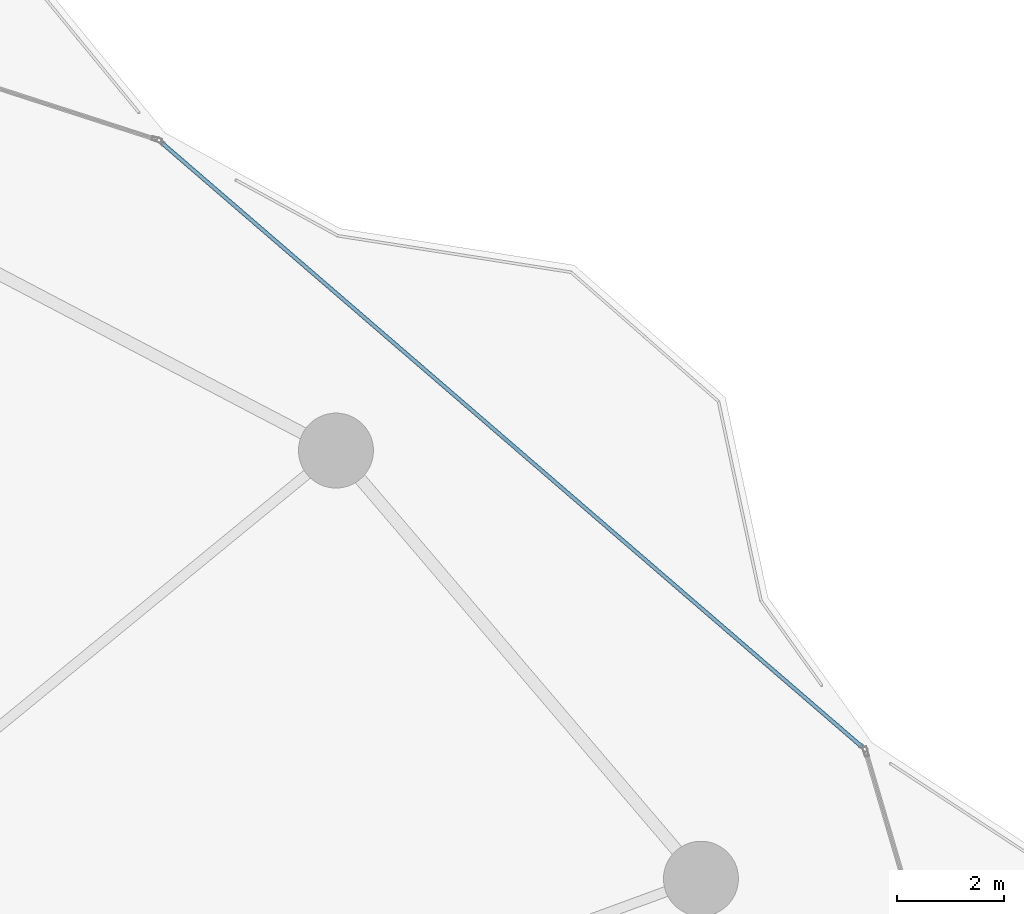
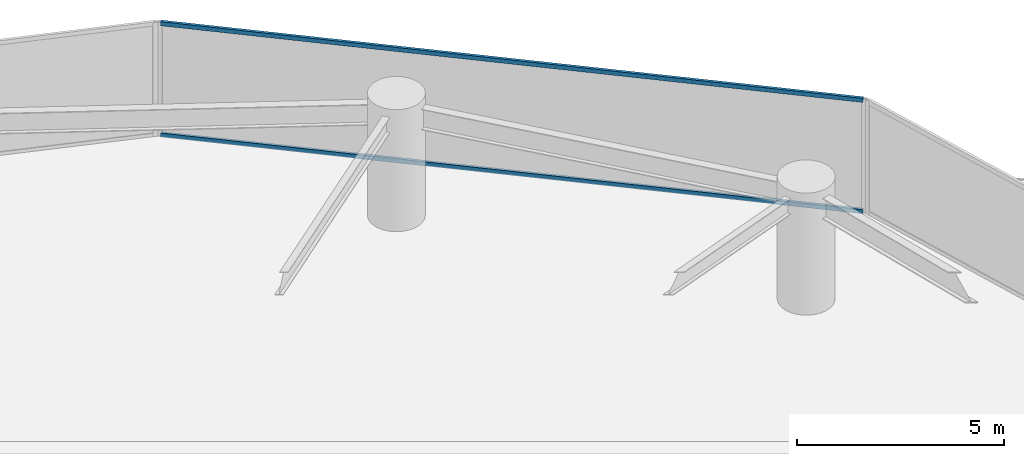
# One storey, part 20 of 33: 2 members, 1 element without a shape of its own.
"""IFC4 building model written with IfcOpenShell, lengths in metres."""

from ifc_helpers import new_model, si_unit, direction, frame, origin, origin_2d, place, context, subcontext, project, spatial, hollow_rectangle, extrude, material, layer, layer_set, material_profile, profile_set, type_object, element, aggregate, save


model = new_model("IFC4")

# Units and contexts
model_context = context("Model", 3, precision=1e-05, world=origin(), true_north=direction((0.0, 1.0)))
body_context = subcontext(model_context, "Body", "Model", "MODEL_VIEW")
ifc_project = project(units=[si_unit("LENGTHUNIT", "METRE"), si_unit("AREAUNIT", "SQUARE_METRE"), si_unit("VOLUMEUNIT", "CUBIC_METRE"), si_unit("PLANEANGLEUNIT", "RADIAN"), si_unit("MASSUNIT", "GRAM", prefix="KILO")], contexts=[model_context])

# Site, building, storey
site_placement = place(None, origin())
site = spatial("IfcSite", under=ifc_project, at=site_placement, CompositionType="ELEMENT")
building_placement = place(site_placement, origin())
building = spatial("IfcBuilding", under=site, at=building_placement, Name="Kazevale Care Tower and Concert Hall", CompositionType="ELEMENT")
storey_placement = place(building_placement, frame((0.0, 0.0, 31.199951171875)))
storey = spatial("IfcBuildingStorey", under=building, at=storey_placement, Name="L07", CompositionType="ELEMENT", Elevation=31.199951171875)

# Curtain wall, members
ifc_material_1 = material(Name="Aluminium 6063-T6 and Low-E Glass", Category="aluminium")
ifc_layer = layer(ifc_material_1, 0.179931640625)
ifc_layer_set = layer_set([ifc_layer], Name="Aluminium 6063-T6 and Low-E Glass")
curtain_wall_type = type_object("IfcCurtainWallType", Name="Convex Recessed Sunroom Curtain Wall CW-3", PredefinedType="NOTDEFINED", material=ifc_layer_set)
curtain_wall_placement = place(storey_placement, origin())
curtain_wall = element("IfcCurtainWall", 1, at=curtain_wall_placement, inside=storey, type_object=curtain_wall_type, Name="cw:L07:f17", PredefinedType="NOTDEFINED")
ifc_material_2 = material(Name="Aluminium 6063-T6", Category="aluminium")
ifc_material_profile = material_profile(ifc_material_2, hollow_rectangle(XDim=0.074951171875, YDim=0.1201171875, WallThickness=0.00390625, at=origin_2d()), Name="ALU75x120x4")
ifc_profile_set = profile_set([ifc_material_profile], Name="Aluminium 6063-T6")
member_type = type_object("IfcMemberType", Name="CW-3 Transom ALU75x120x4", PredefinedType="USERDEFINED", material=ifc_profile_set)
member_1_placement = place(storey_placement, frame((63.98681640625, 61.178955078125, 0.03759765625), z_axis=(0.757205368894, -0.653176874451, 0.0), x_axis=(0.653176874451, 0.757205368894, 0.0)))
member_1 = element("IfcMember", 2, at=member_1_placement, type_object=member_type, Name="CW-3 transom 1.1", ObjectType="TRANSOM", PredefinedType="USERDEFINED", context=body_context, shape_type="SweptSolid", body=[
    extrude(hollow_rectangle(XDim=0.074951171875, YDim=0.1201171875, WallThickness=0.00390625, at=origin_2d()), origin(), (0.0, 0.0, 1.0), 17.280029296875),
])
member_2_placement = place(storey_placement, frame((63.98681640625, 61.178955078125, 3.322509765625), z_axis=(0.757205368894, -0.653176874451, 0.0), x_axis=(0.653176874451, 0.757205368894, 0.0)))
member_2 = element("IfcMember", 3, at=member_2_placement, type_object=member_type, Name="CW-3 transom 1.2", ObjectType="TRANSOM", PredefinedType="USERDEFINED", context=body_context, shape_type="SweptSolid", body=[
    extrude(hollow_rectangle(XDim=0.074951171875, YDim=0.1201171875, WallThickness=0.00390625, at=origin_2d()), origin(), (0.0, 0.0, 1.0), 17.280029296875),
])
aggregate(curtain_wall, [member_1, member_2])

save(model, "model.ifc")
